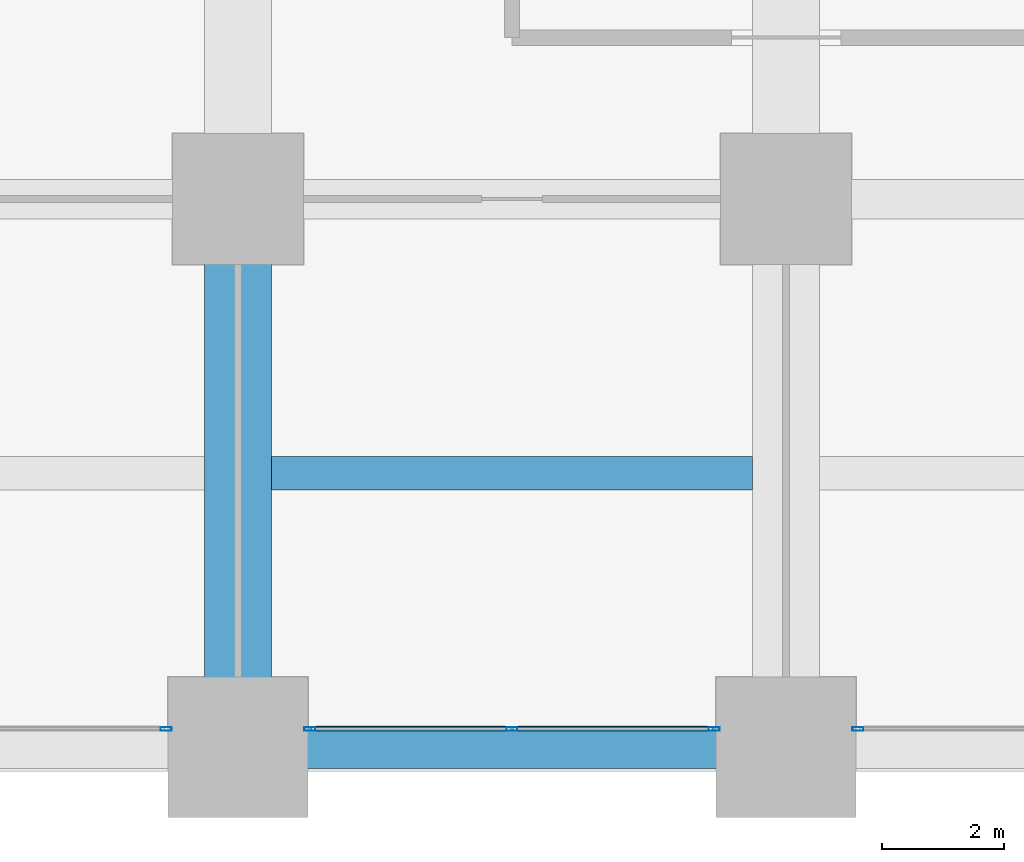
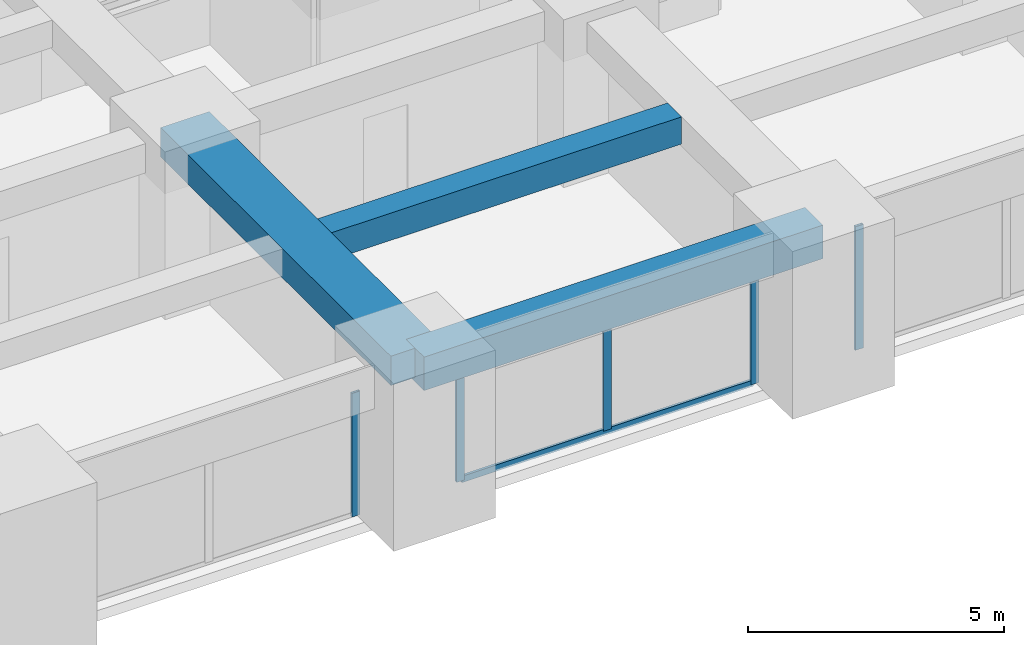
# One storey, part 6 of 44: 6 members, 3 beams, 3 elements without a shape of their own.
"""IFC4 building model written with IfcOpenShell, lengths in metres."""

import ifcopenshell
import ifcopenshell.guid

model = None  # the IFC model being written
_history = None  # IfcOwnerHistory: only IFC2X3 demands one
_inside = {}  # id of a spatial element -> (the spatial element, [elements in it])
_under = {}  # id of a project, library or spatial element -> (it, [spatial elements below it])
_declared = {}  # id of a project -> (the project, [libraries it declares])
_typed = {}  # id of a type object -> (the type object, [elements of that type])
_made_of = {}  # id of a material, layer set ... -> (it, [elements and type objects made of it])


def new_model(schema):
    """Start an empty IFC model of exactly this schema.

    Asked for "IFC4X3", IfcOpenShell would pick the latest addendum, in which some entities
    have other attributes; the version numbers below select the first issue.
    IFC2X3 requires an IfcOwnerHistory on every rooted entity: one is made here for all.
    """
    global model, _history
    if schema == "IFC4X3":
        model = ifcopenshell.file(schema_version=(4, 3, 0, 0))
    else:
        model = ifcopenshell.file(schema=schema)
    _inside.clear()
    _under.clear()
    _declared.clear()
    _typed.clear()
    _made_of.clear()
    _history = None
    if model.schema == "IFC2X3":
        org = make("IfcOrganization", Name="unknown")
        user = make(
            "IfcPersonAndOrganization",
            ThePerson=make("IfcPerson", FamilyName="unknown"),
            TheOrganization=org,
        )
        app = make(
            "IfcApplication",
            ApplicationDeveloper=org,
            Version="unknown",
            ApplicationFullName="unknown",
            ApplicationIdentifier="unknown",
        )
        _history = make(
            "IfcOwnerHistory",
            OwningUser=user,
            OwningApplication=app,
            ChangeAction="ADDED",
            CreationDate=0,
        )
    return model


def make(cls, **values):
    """One entity of the class cls with the attributes given. An attribute that is None is left unset."""
    return model.create_entity(
        cls, **{name: value for name, value in values.items() if value is not None}
    )


def rooted(cls, **values):
    """An entity with a GlobalId (a new one), such as an element, a storey or a relation."""
    return make(cls, GlobalId=ifcopenshell.guid.new(), OwnerHistory=_history, **values)


def si_unit(unit_type, name, prefix=None):
    """IfcSIUnit, for example si_unit("LENGTHUNIT", "METRE", prefix="MILLI")."""
    return make("IfcSIUnit", UnitType=unit_type, Prefix=prefix, Name=name)


def assignment(units):
    """IfcUnitAssignment: the units of a project."""
    return None if units is None else make("IfcUnitAssignment", Units=units)


def point(xyz):
    """IfcCartesianPoint."""
    return None if xyz is None else make("IfcCartesianPoint", Coordinates=xyz)


def direction(xyz):
    """IfcDirection."""
    return None if xyz is None else make("IfcDirection", DirectionRatios=xyz)


def frame(location, z_axis=None, x_axis=None):
    """IfcAxis2Placement3D, a coordinate frame: its origin and axes. An axis left out is left unset."""
    return make(
        "IfcAxis2Placement3D",
        Location=point(location),
        Axis=direction(z_axis),
        RefDirection=direction(x_axis),
    )


def frame_2d(location, x_axis=None):
    """IfcAxis2Placement2D, a coordinate frame in the plane: its origin and x axis."""
    return make(
        "IfcAxis2Placement2D", Location=point(location), RefDirection=direction(x_axis)
    )


def origin():
    """The frame at (0, 0, 0) with its axes left unset."""
    return frame((0.0, 0.0, 0.0))


def origin_2d():
    """The frame at (0, 0) in the plane with its x axis left unset."""
    return frame_2d((0.0, 0.0))


def place(relative_to, where):
    """IfcLocalPlacement: puts the frame where relative to a parent placement (None: the world)."""
    return make(
        "IfcLocalPlacement", PlacementRelTo=relative_to, RelativePlacement=where
    )


def context(
    kind, dimensions, precision=None, world=None, true_north=None, identifier=None
):
    """IfcGeometricRepresentationContext, for example the 3D "Model" context."""
    return make(
        "IfcGeometricRepresentationContext",
        ContextIdentifier=identifier,
        ContextType=kind,
        CoordinateSpaceDimension=dimensions,
        Precision=precision,
        WorldCoordinateSystem=world,
        TrueNorth=true_north,
    )


def subcontext(parent, identifier, kind, view, scale=None):
    """IfcGeometricRepresentationSubContext, for example "Body" below "Model"."""
    return make(
        "IfcGeometricRepresentationSubContext",
        ContextIdentifier=identifier,
        ContextType=kind,
        ParentContext=parent,
        TargetScale=scale,
        TargetView=view,
    )


def project(units=None, contexts=None):
    """IfcProject with its units and contexts."""
    return rooted(
        "IfcProject",
        Name="project",
        RepresentationContexts=contexts,
        UnitsInContext=assignment(units),
    )


def spatial(cls, under=None, at=None, **own):
    """A site, building, storey or space (cls), placed at a placement, below another one or the project."""
    s = rooted(cls, ObjectPlacement=at, **own)
    if under is not None:
        _under.setdefault(under.id(), (under, []))[1].append(s)
    return s


def profile(cls, at=None, kind="AREA", **sizes):
    """A parametric profile (cls). Its sizes go by their IFC names, for example OverallWidth=200.0."""
    return make(cls, ProfileType=kind, Position=at, **sizes)


def rectangle(**sizes):
    """IfcRectangleProfileDef."""
    return profile("IfcRectangleProfileDef", **sizes)


def hollow_rectangle(**sizes):
    """IfcRectangleHollowProfileDef."""
    return profile("IfcRectangleHollowProfileDef", **sizes)


def extrude(swept, where, along, depth):
    """IfcExtrudedAreaSolid: the profile swept, set in the frame where, extruded along a direction by depth."""
    return make(
        "IfcExtrudedAreaSolid",
        SweptArea=swept,
        Position=where,
        ExtrudedDirection=direction(along),
        Depth=depth,
    )


def shape(context_of_items, identifier, shape_type, items):
    """IfcShapeRepresentation: the items that make up one representation, for example the "Body"."""
    return make(
        "IfcShapeRepresentation",
        ContextOfItems=context_of_items,
        RepresentationIdentifier=identifier,
        RepresentationType=shape_type,
        Items=items,
    )


def material(Name=None, Category=None):
    """IfcMaterial."""
    return make("IfcMaterial", Name=Name, Category=Category)


def material_profile(
    of_material, cross_section, Name=None, Category=None, Priority=None
):
    """IfcMaterialProfile: a cross section and its material."""
    return make(
        "IfcMaterialProfile",
        Name=Name,
        Material=of_material,
        Profile=cross_section,
        Priority=Priority,
        Category=Category,
    )


def profile_set(profiles, Name=None, composite=None):
    """IfcMaterialProfileSet."""
    return make(
        "IfcMaterialProfileSet",
        Name=Name,
        MaterialProfiles=profiles,
        CompositeProfile=composite,
    )


def made_of(thing, what):
    """Note that an element or type object is made of a material, layer set ...; save() writes the relation."""
    if what is not None:
        _made_of.setdefault(what.id(), (what, []))[1].append(thing)
    return thing


def type_object(cls, material=None, **own):
    """A type object (cls), such as IfcWallType, which elements share."""
    return made_of(rooted(cls, **own), material)


def element(
    cls,
    number,
    at=None,
    inside=None,
    cuts=None,
    type_object=None,
    material=None,
    context=None,
    identifier="Body",
    shape_type=None,
    held_by="IfcProductDefinitionShape",
    body=None,
    shapes=None,
    **own,
):
    """One element of the class cls, such as IfcWall. Its Tag is "e" and its number.

    at: its placement. inside: the storey or other place that contains it. cuts: it is an
    opening in that element (IfcRelVoidsElement). A single representation is given by context,
    identifier, shape_type and body (its items); several are given by shapes. held_by: the class
    of the entity that holds the representations. save() writes the other relations.
    """
    e = rooted(cls, Tag="e%d" % number, ObjectPlacement=at, **own)
    if body is not None:
        shapes = [shape(context, identifier, shape_type, body)]
    if shapes is not None:
        e.Representation = make(held_by, Representations=shapes)
    if inside is not None:
        _inside.setdefault(inside.id(), (inside, []))[1].append(e)
    if cuts is not None:
        rooted(
            "IfcRelVoidsElement", RelatingBuildingElement=cuts, RelatedOpeningElement=e
        )
    if type_object is not None:
        _typed.setdefault(type_object.id(), (type_object, []))[1].append(e)
    return made_of(e, material)


def aggregate(whole, parts):
    """IfcRelAggregates: a whole, such as a stair, and the parts it consists of."""
    return rooted("IfcRelAggregates", RelatingObject=whole, RelatedObjects=parts)


def save(model, path):
    """Write the relations noted so far, then the file.

    IfcRelAggregates (storeys below a building ...), IfcRelContainedInSpatialStructure (elements
    in a storey), IfcRelDefinesByType, IfcRelAssociatesMaterial and IfcRelDeclares: one each for
    every whole, place, type object, material and project.
    """
    for whole, parts in _under.values():
        aggregate(whole, parts)
    for where, things in _inside.values():
        rooted(
            "IfcRelContainedInSpatialStructure",
            RelatedElements=things,
            RelatingStructure=where,
        )
    for kind, things in _typed.values():
        rooted("IfcRelDefinesByType", RelatedObjects=things, RelatingType=kind)
    for what, things in _made_of.values():
        rooted("IfcRelAssociatesMaterial", RelatedObjects=things, RelatingMaterial=what)
    for by, libraries in _declared.values():
        rooted("IfcRelDeclares", RelatingContext=by, RelatedDefinitions=libraries)
    model.write(path)


model = new_model("IFC4")

# Units and contexts
model_context = context("Model", 3, precision=1e-05, world=origin(), true_north=direction((0.0, 1.0)))
body_context = subcontext(model_context, "Body", "Model", "MODEL_VIEW")
ifc_project = project(units=[si_unit("LENGTHUNIT", "METRE"), si_unit("AREAUNIT", "SQUARE_METRE"), si_unit("VOLUMEUNIT", "CUBIC_METRE"), si_unit("PLANEANGLEUNIT", "RADIAN"), si_unit("MASSUNIT", "GRAM", prefix="KILO")], contexts=[model_context])

# Site, building, storey
site_placement = place(None, origin())
site = spatial("IfcSite", under=ifc_project, at=site_placement, CompositionType="ELEMENT")
building_placement = place(site_placement, origin())
building = spatial("IfcBuilding", under=site, at=building_placement, Name="Zorevar Civic Tower", CompositionType="ELEMENT")
storey_placement = place(building_placement, frame((0.0, 0.0, 51.800048828125)))
storey = spatial("IfcBuildingStorey", under=building, at=storey_placement, Name="L12", CompositionType="ELEMENT", Elevation=51.800048828125)

# Beams
ifc_material_1 = material(Name="Concrete C50/60", Category="concrete")
ifc_material_profile_1 = material_profile(ifc_material_1, rectangle(XDim=1.10009765625, YDim=0.699951171875, at=origin_2d()), Name="RC 1100x700")
ifc_profile_set_1 = profile_set([ifc_material_profile_1], Name="Concrete C50/60")
beam_type_1 = type_object("IfcBeamType", Name="Beam RC 1100x700", PredefinedType="BEAM", material=ifc_profile_set_1)
beam_1_placement = place(storey_placement, frame((18.0, 0.0, 3.39990234375), z_axis=(0.0, 1.0, 0.0), x_axis=(-1.0, 0.0, 0.0)))
element("IfcBeam", 1, at=beam_1_placement, inside=storey, type_object=beam_type_1, Name="Girder L13", PredefinedType="BEAM", context=body_context, shape_type="SweptSolid", body=[
    extrude(rectangle(XDim=1.10009765625, YDim=0.699951171875, at=origin_2d()), origin(), (0.0, 0.0, 1.0), 9.0),
])
ifc_material_2 = material(Name="Concrete C50/60", Category="concrete")
ifc_material_profile_2 = material_profile(ifc_material_2, rectangle(XDim=0.550048828125, YDim=0.64990234375, at=origin_2d()), Name="RC 550x650")
ifc_profile_set_2 = profile_set([ifc_material_profile_2], Name="Concrete C50/60")
beam_type_2 = type_object("IfcBeamType", Name="Beam RC 550x650", PredefinedType="BEAM", material=ifc_profile_set_2)
beam_2_placement = place(storey_placement, frame((18.550048828125, 4.5, 3.425048828125), z_axis=(1.0, 0.0, 0.0), x_axis=(0.0, 1.0, 0.0)))
element("IfcBeam", 2, at=beam_2_placement, inside=storey, type_object=beam_type_2, Name="Secondary beam L13", PredefinedType="BEAM", context=body_context, shape_type="SweptSolid", body=[
    extrude(rectangle(XDim=0.550048828125, YDim=0.64990234375, at=origin_2d()), origin(), (0.0, 0.0, 1.0), 7.89990234375),
])

# Curtain wall, member
ifc_material_3 = material(Name="Dark grey solar-control glass in black aluminium frame", Category="aluminium")
curtain_wall_type = type_object("IfcCurtainWallType", Name="Curtain wall CW2 low zone", PredefinedType="NOTDEFINED", material=ifc_material_3)
curtain_wall_1_placement = place(storey_placement, origin())
curtain_wall_1 = element("IfcCurtainWall", 3, at=curtain_wall_1_placement, inside=storey, type_object=curtain_wall_type, Name="CW2 L12", PredefinedType="NOTDEFINED")
ifc_material_4 = material(Name="Aluminium, black anodised", Category="aluminium")
ifc_material_profile_3 = material_profile(ifc_material_4, hollow_rectangle(XDim=0.06005859375, YDim=0.179931640625, WallThickness=0.00390625, at=origin_2d()), Name="AL 180x60x4")
ifc_profile_set_3 = profile_set([ifc_material_profile_3], Name="Aluminium, black anodised")
member_type_1 = type_object("IfcMemberType", Name="CW2 mullion AL 180x60x4", PredefinedType="MULLION", material=ifc_profile_set_3)
member_1_placement = place(storey_placement, frame((16.820068359375, 0.300048828125, 0.0), z_axis=(0.0, 0.0, 1.0), x_axis=(0.0, 1.0, 0.0)))
member_1 = element("IfcMember", 4, at=member_1_placement, type_object=member_type_1, Name="CW2 mullion 3", PredefinedType="MULLION", context=body_context, shape_type="SweptSolid", body=[
    extrude(hollow_rectangle(XDim=0.06005859375, YDim=0.179931640625, WallThickness=0.00390625, at=origin_2d()), origin(), (0.0, 0.0, 1.0), 2.949951171875),
])
aggregate(curtain_wall_1, [member_1])

# Curtain wall, members
curtain_wall_2_placement = place(storey_placement, origin())
curtain_wall_2 = element("IfcCurtainWall", 5, at=curtain_wall_2_placement, inside=storey, type_object=curtain_wall_type, Name="CW2 L12", PredefinedType="NOTDEFINED")
member_2_placement = place(storey_placement, frame((19.179931640625, 0.300048828125, 0.0), z_axis=(0.0, 0.0, 1.0), x_axis=(0.0, 1.0, 0.0)))
member_2 = element("IfcMember", 6, at=member_2_placement, type_object=member_type_1, Name="CW2 mullion 1", PredefinedType="MULLION", context=body_context, shape_type="SweptSolid", body=[
    extrude(hollow_rectangle(XDim=0.06005859375, YDim=0.179931640625, WallThickness=0.00390625, at=origin_2d()), origin(), (0.0, 0.0, 1.0), 2.949951171875),
])
member_3_placement = place(storey_placement, frame((22.5, 0.300048828125, 0.06005859375), z_axis=(0.0, 0.0, 1.0), x_axis=(0.0, 1.0, 0.0)))
member_3 = element("IfcMember", 7, at=member_3_placement, type_object=member_type_1, Name="CW2 mullion 2", PredefinedType="MULLION", context=body_context, shape_type="SweptSolid", body=[
    extrude(hollow_rectangle(XDim=0.06005859375, YDim=0.179931640625, WallThickness=0.00390625, at=origin_2d()), origin(), (0.0, 0.0, 1.0), 2.889892578125),
])
member_4_placement = place(storey_placement, frame((25.820068359375, 0.300048828125, 0.0), z_axis=(0.0, 0.0, 1.0), x_axis=(0.0, 1.0, 0.0)))
member_4 = element("IfcMember", 8, at=member_4_placement, type_object=member_type_1, Name="CW2 mullion 3", PredefinedType="MULLION", context=body_context, shape_type="SweptSolid", body=[
    extrude(hollow_rectangle(XDim=0.06005859375, YDim=0.179931640625, WallThickness=0.00390625, at=origin_2d()), origin(), (0.0, 0.0, 1.0), 2.949951171875),
])

# Curtain wall, member
curtain_wall_3_placement = place(storey_placement, origin())
curtain_wall_3 = element("IfcCurtainWall", 9, at=curtain_wall_3_placement, inside=storey, type_object=curtain_wall_type, Name="CW2 L12", PredefinedType="NOTDEFINED")
member_5_placement = place(storey_placement, frame((28.179931640625, 0.300048828125, 0.0), z_axis=(0.0, 0.0, 1.0), x_axis=(0.0, 1.0, 0.0)))
member_5 = element("IfcMember", 10, at=member_5_placement, type_object=member_type_1, Name="CW2 mullion 1", PredefinedType="MULLION", context=body_context, shape_type="SweptSolid", body=[
    extrude(hollow_rectangle(XDim=0.06005859375, YDim=0.179931640625, WallThickness=0.00390625, at=origin_2d()), origin(), (0.0, 0.0, 1.0), 2.949951171875),
])
aggregate(curtain_wall_3, [member_5])

# Member
ifc_material_5 = material(Name="Aluminium, black anodised", Category="aluminium")
ifc_material_profile_4 = material_profile(ifc_material_5, hollow_rectangle(XDim=0.06005859375, YDim=0.14990234375, WallThickness=0.00390625, at=origin_2d()), Name="AL 150x60x4")
ifc_profile_set_4 = profile_set([ifc_material_profile_4], Name="Aluminium, black anodised")
member_type_2 = type_object("IfcMemberType", Name="CW2 transom AL 150x60x4", PredefinedType="USERDEFINED", material=ifc_profile_set_4)
member_6_placement = place(storey_placement, frame((19.2099609375, 0.300048828125, 0.030029296875), z_axis=(1.0, 0.0, 0.0), x_axis=(0.0, 1.0, 0.0)))
member_6 = element("IfcMember", 11, at=member_6_placement, type_object=member_type_2, Name="CW2 sill transom", ObjectType="TRANSOM", PredefinedType="USERDEFINED", context=body_context, shape_type="SweptSolid", body=[
    extrude(hollow_rectangle(XDim=0.06005859375, YDim=0.14990234375, WallThickness=0.00390625, at=origin_2d()), origin(), (0.0, 0.0, 1.0), 6.580078125),
])

aggregate(curtain_wall_2, [member_2, member_3, member_4, member_6])

# Beam
ifc_material_6 = material(Name="Concrete C50/60", Category="concrete")
ifc_material_profile_5 = material_profile(ifc_material_6, rectangle(XDim=0.699951171875, YDim=0.800048828125, at=origin_2d()), Name="RC 700x800")
ifc_profile_set_5 = profile_set([ifc_material_profile_5], Name="Concrete C50/60")
beam_type_3 = type_object("IfcBeamType", Name="Edge beam RC 700x800", PredefinedType="SPANDREL", material=ifc_profile_set_5)
beam_3_placement = place(storey_placement, frame((18.0, 0.0, 3.349853515625), z_axis=(1.0, 0.0, 0.0), x_axis=(0.0, 1.0, 0.0)))
element("IfcBeam", 12, at=beam_3_placement, inside=storey, type_object=beam_type_3, Name="Edge beam L13", PredefinedType="SPANDREL", context=body_context, shape_type="SweptSolid", body=[
    extrude(rectangle(XDim=0.699951171875, YDim=0.800048828125, at=origin_2d()), origin(), (0.0, 0.0, 1.0), 9.0),
])

save(model, "model.ifc")
